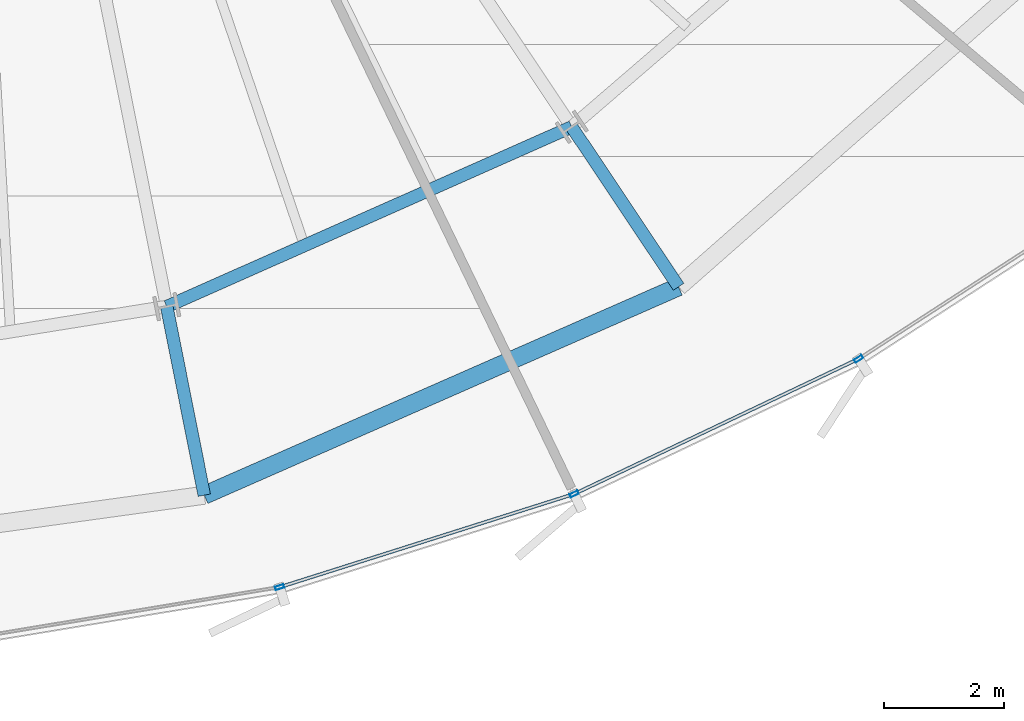
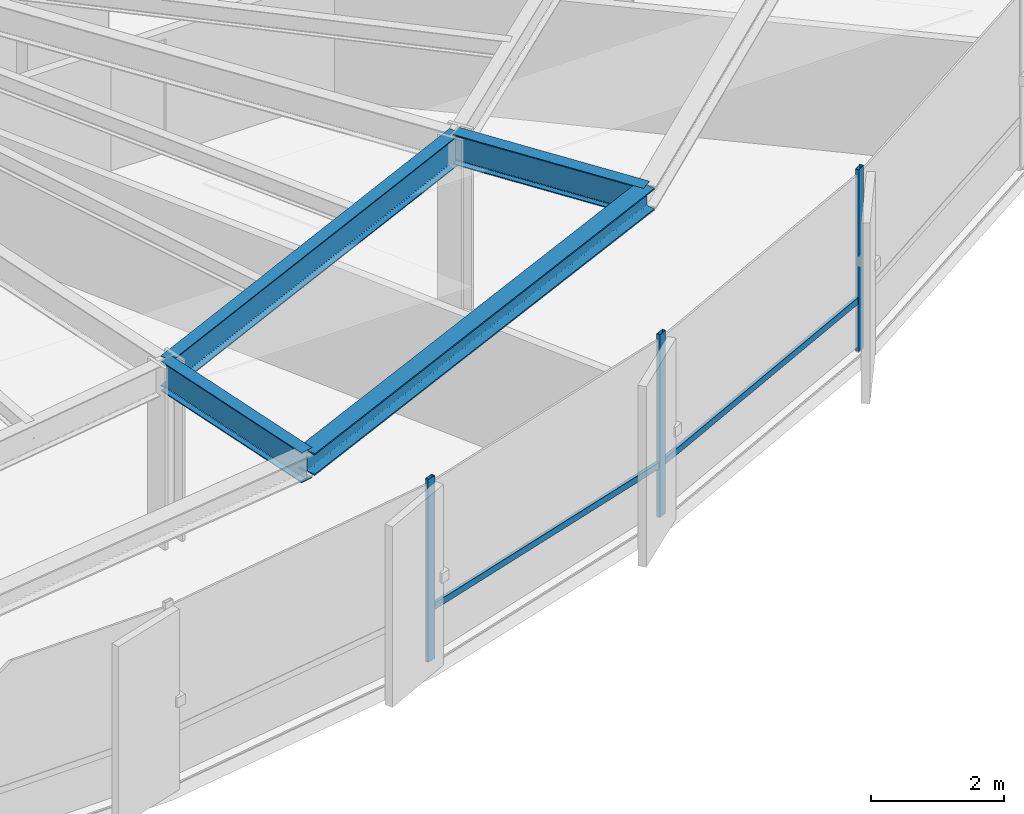
# One storey, part 12 of 35: 5 members, 4 beams, 1 element without a shape of its own.
"""IFC4 building model written with IfcOpenShell, lengths in metres."""

from ifc_helpers import new_model, si_unit, direction, frame, origin, origin_2d, place, context, subcontext, project, spatial, hollow_rectangle, i_section, extrude, source, transform, mapped, material, layer, layer_set, material_profile, profile_set, type_object, element, aggregate, save


model = new_model("IFC4")

# Units and contexts
model_context = context("Model", 3, precision=1e-05, world=origin(), true_north=direction((0.0, 1.0)))
body_context = subcontext(model_context, "Body", "Model", "MODEL_VIEW")
ifc_project = project(units=[si_unit("LENGTHUNIT", "METRE"), si_unit("AREAUNIT", "SQUARE_METRE"), si_unit("VOLUMEUNIT", "CUBIC_METRE"), si_unit("PLANEANGLEUNIT", "RADIAN"), si_unit("MASSUNIT", "GRAM", prefix="KILO"), si_unit("THERMODYNAMICTEMPERATUREUNIT", "KELVIN")], contexts=[model_context])

# Site, building, storey
site_placement = place(None, origin())
site = spatial("IfcSite", under=ifc_project, at=site_placement, CompositionType="ELEMENT")
building_placement = place(site_placement, origin())
building = spatial("IfcBuilding", under=site, at=building_placement, Name="Kethvar Cultural Tower", CompositionType="ELEMENT")
storey_placement = place(building_placement, frame((0.0, 0.0, 89.199951171875)))
storey = spatial("IfcBuildingStorey", under=building, at=storey_placement, Name="L21", CompositionType="ELEMENT", Elevation=89.199951171875)

# Beams
ifc_material_1 = material(Name="Steel S355J2", Category="steel")
ifc_material_profile_1 = material_profile(ifc_material_1, i_section(OverallWidth=0.2099609375, OverallDepth=0.550048828125, WebThickness=0.010986328125, FlangeThickness=0.01708984375, FilletRadius=0.02392578125, at=origin_2d()), Name="Steel S355J2 — IPE550")
ifc_profile_set_1 = profile_set([ifc_material_profile_1], Name="Steel S355J2 — IPE550")
beam_type_1 = type_object("IfcBeamType", Name="BM-IPE550", PredefinedType="BEAM", material=ifc_profile_set_1)
shared_shape_1 = source(origin(), body_context, "Body", "SweptSolid", [
    extrude(i_section(OverallWidth=0.2099609375, OverallDepth=0.550048828125, WebThickness=0.010986328125, FlangeThickness=0.01708984375, FilletRadius=0.02392578125, at=origin_2d()), origin(), (0.0, 0.0, 1.0), 3.199951171875),
])
beam_1_placement = place(storey_placement, frame((57.241943359375, 12.17236328125, 3.072998046875), z_axis=(0.555580212716, -0.831462943996, 0.0), x_axis=(0.831462943996, 0.555580212716, 0.0)))
element("IfcBeam", 1, at=beam_1_placement, inside=storey, type_object=beam_type_1, Name="L21 Perimeter Cantilever Beam RC-14", PredefinedType="BEAM", context=body_context, shape_type="MappedRepresentation", body=[
    mapped(shared_shape_1, transform((0.0, 0.0, 0.0), scale=1.0)),
])
shared_shape_2 = source(origin(), body_context, "Body", "SweptSolid", [
    extrude(i_section(OverallWidth=0.2099609375, OverallDepth=0.550048828125, WebThickness=0.010986328125, FlangeThickness=0.01708984375, FilletRadius=0.02392578125, at=origin_2d()), origin(), (0.0, 0.0, 1.0), 3.2001953125),
])
beam_2_placement = place(storey_placement, frame((50.50341796875, 9.182373046875, 3.072998046875), z_axis=(0.195074368086, -0.980788453702, 0.0), x_axis=(0.980788453702, 0.195074368086, 0.0)))
element("IfcBeam", 2, at=beam_2_placement, inside=storey, type_object=beam_type_1, Name="L21 Perimeter Cantilever Beam RC-13", PredefinedType="BEAM", context=body_context, shape_type="MappedRepresentation", body=[
    mapped(shared_shape_2, transform((0.0, 0.0, 0.0), scale=1.0)),
])
shared_shape_3 = source(origin(), body_context, "Body", "SweptSolid", [
    extrude(i_section(OverallWidth=0.2099609375, OverallDepth=0.550048828125, WebThickness=0.010986328125, FlangeThickness=0.01708984375, FilletRadius=0.02392578125, at=origin_2d()), origin(), (0.0, 0.0, 1.0), 7.3720703125),
])
beam_3_placement = place(storey_placement, frame((50.50341796875, 9.182373046875, 3.072998046875), z_axis=(0.914058560918, 0.405582232367, 0.0), x_axis=(-0.405582232367, 0.914058560918, 0.0)))
element("IfcBeam", 3, at=beam_3_placement, inside=storey, type_object=beam_type_1, Name="L21 Column Ring Tie Beam CR-13", PredefinedType="BEAM", context=body_context, shape_type="MappedRepresentation", body=[
    mapped(shared_shape_3, transform((0.0, 0.0, 0.0), scale=1.0)),
])
ifc_material_profile_2 = material_profile(ifc_material_1, i_section(OverallWidth=0.300048828125, OverallDepth=0.39990234375, WebThickness=0.013427734375, FlangeThickness=0.02392578125, FilletRadius=0.027099609375, at=origin_2d()), Name="Steel S355J2 — HEB400")
ifc_profile_set_2 = profile_set([ifc_material_profile_2], Name="Steel S355J2 — HEB400")
beam_type_2 = type_object("IfcBeamType", Name="BM-SP400", PredefinedType="SPANDREL", material=ifc_profile_set_2)
shared_shape_4 = source(origin(), body_context, "Body", "SweptSolid", [
    extrude(i_section(OverallWidth=0.300048828125, OverallDepth=0.39990234375, WebThickness=0.013427734375, FlangeThickness=0.02392578125, FilletRadius=0.027099609375, at=origin_2d()), origin(), (0.0, 0.0, 1.0), 8.620361328125),
])
beam_4_placement = place(storey_placement, frame((51.127685546875, 6.043701171875, 3.14794921875), z_axis=(0.915507442902, 0.402301034041, 0.0), x_axis=(-0.402301034041, 0.915507442902, 0.0)))
element("IfcBeam", 4, at=beam_4_placement, inside=storey, type_object=beam_type_2, Name="L21 Perimeter Spandrel Beam SP-13", PredefinedType="SPANDREL", context=body_context, shape_type="MappedRepresentation", body=[
    mapped(shared_shape_4, transform((0.0, 0.0, 0.0), scale=1.0)),
])

# Curtain wall, members
ifc_material_2 = material(Name="Aluminium 6063-T6", Category="aluminium")
ifc_layer = layer(ifc_material_2, 0.179931640625, Name="Aluminium 6063-T6", Category="aluminium")
ifc_layer_set = layer_set([ifc_layer], Name="Aluminium 6063-T6 (180 mm)")
curtain_wall_type = type_object("IfcCurtainWallType", Name="CW-SYS-03-Z2", PredefinedType="NOTDEFINED", material=ifc_layer_set)
curtain_wall_placement = place(storey_placement, origin())
curtain_wall = element("IfcCurtainWall", 5, at=curtain_wall_placement, inside=storey, type_object=curtain_wall_type, Name="L21 Curtain Wall Run 05", PredefinedType="NOTDEFINED")
ifc_material_profile_3 = material_profile(ifc_material_2, hollow_rectangle(XDim=0.06005859375, YDim=0.14990234375, WallThickness=0.0048828125, at=origin_2d()), Name="Aluminium 6063-T6 — RHS150x60x5")
ifc_profile_set_3 = profile_set([ifc_material_profile_3], Name="Aluminium 6063-T6 — RHS150x60x5")
member_type_1 = type_object("IfcMemberType", Name="CW-SYS-03-Z2-MUL", PredefinedType="MULLION", material=ifc_profile_set_3)
shared_shape_5 = source(origin(), body_context, "Body", "SweptSolid", [
    extrude(hollow_rectangle(XDim=0.06005859375, YDim=0.14990234375, WallThickness=0.0048828125, at=origin_2d()), origin(), (0.0, 0.0, 1.0), 3.35009765625),
])
member_1_placement = place(storey_placement, frame((52.382080078125, 4.513671875, 0.0), z_axis=(0.0, 0.0, 1.0), x_axis=(-0.301804202817, 0.95336992986, 0.0)))
member_1 = element("IfcMember", 6, at=member_1_placement, type_object=member_type_1, Name="CW-L21-R05 Mullion 3", PredefinedType="MULLION", context=body_context, shape_type="MappedRepresentation", body=[
    mapped(shared_shape_5, transform((0.0, 0.0, 0.0), scale=1.0)),
])
member_2_placement = place(storey_placement, frame((57.281982421875, 6.063720703125, 0.0), z_axis=(0.0, 0.0, 1.0), x_axis=(-0.42923466714, 0.903193002921, 0.0)))
member_2 = element("IfcMember", 7, at=member_2_placement, type_object=member_type_1, Name="CW-L21-R05 Mullion 4", PredefinedType="MULLION", context=body_context, shape_type="MappedRepresentation", body=[
    mapped(shared_shape_5, transform((0.0, 0.0, 0.0), scale=1.0)),
])
member_3_placement = place(storey_placement, frame((62.01611328125, 8.3125, 0.0), z_axis=(0.0, 0.0, 1.0), x_axis=(-0.543511451193, 0.839401752692, 0.0)))
member_3 = element("IfcMember", 8, at=member_3_placement, type_object=member_type_1, Name="CW-L21-R05 Mullion 5", PredefinedType="MULLION", context=body_context, shape_type="MappedRepresentation", body=[
    mapped(shared_shape_5, transform((0.0, 0.0, 0.0), scale=1.0)),
])
ifc_material_profile_4 = material_profile(ifc_material_2, hollow_rectangle(XDim=0.054931640625, YDim=0.1201171875, WallThickness=0.00390625, at=origin_2d()), Name="Aluminium 6063-T6 — RHS120x55x4")
ifc_profile_set_4 = profile_set([ifc_material_profile_4], Name="Aluminium 6063-T6 — RHS120x55x4")
member_type_2 = type_object("IfcMemberType", Name="CW-SYS-03-Z2-TRN", PredefinedType="USERDEFINED", material=ifc_profile_set_4)
shared_shape_6 = source(origin(), body_context, "Body", "SweptSolid", [
    extrude(hollow_rectangle(XDim=0.054931640625, YDim=0.1201171875, WallThickness=0.00390625, at=origin_2d()), origin(), (0.0, 0.0, 1.0), 5.169677734375),
])
member_4_placement = place(storey_placement, frame((57.321044921875, 6.082275390625, 0.949951171875), z_axis=(0.903192836811, 0.429235016668, 0.0), x_axis=(-0.429235016668, 0.903192836811, 0.0)))
member_4 = element("IfcMember", 9, at=member_4_placement, type_object=member_type_2, Name="CW-L21-R05 Transom 4", ObjectType="TRANSOM", PredefinedType="USERDEFINED", context=body_context, shape_type="MappedRepresentation", body=[
    mapped(shared_shape_6, transform((0.0, 0.0, 0.0), scale=1.0)),
])
shared_shape_7 = source(origin(), body_context, "Body", "SweptSolid", [
    extrude(hollow_rectangle(XDim=0.054931640625, YDim=0.1201171875, WallThickness=0.00390625, at=origin_2d()), origin(), (0.0, 0.0, 1.0), 5.068603515625),
])
member_5_placement = place(storey_placement, frame((52.42333984375, 4.526611328125, 0.949951171875), z_axis=(0.953366944006, 0.301813634676, 0.0), x_axis=(-0.301813634676, 0.953366944006, 0.0)))
member_5 = element("IfcMember", 10, at=member_5_placement, type_object=member_type_2, Name="CW-L21-R05 Transom 3", ObjectType="TRANSOM", PredefinedType="USERDEFINED", context=body_context, shape_type="MappedRepresentation", body=[
    mapped(shared_shape_7, transform((0.0, 0.0, 0.0), scale=1.0)),
])
aggregate(curtain_wall, [member_1, member_2, member_3, member_5, member_4])

save(model, "model.ifc")
